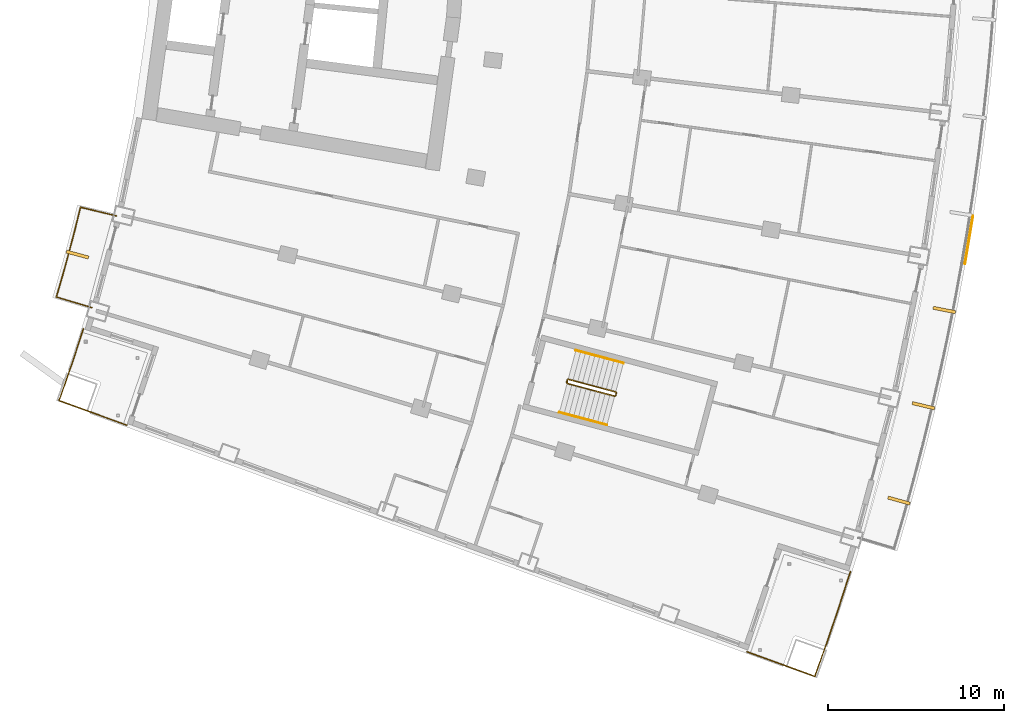
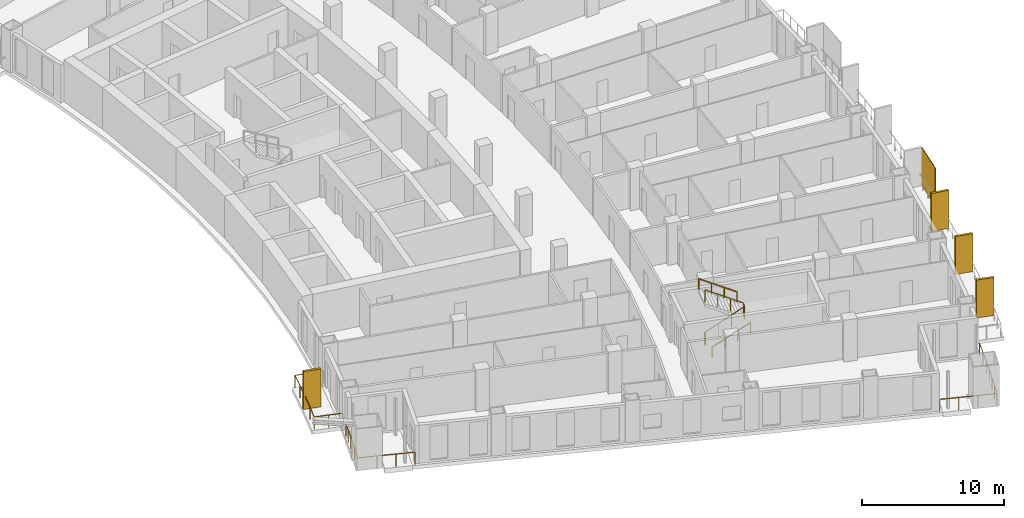
# One storey, part 22 of 24: 6 railings, 5 shading devices.
"""IFC4 building model written with IfcOpenShell, lengths in metres."""

from ifc_helpers import new_model, si_unit, direction, frame, origin, origin_2d, place, context, subcontext, project, spatial, rectangle, extrude, material, layer, layer_set, type_object, element, save


model = new_model("IFC4")

# Units and contexts
model_context = context("Model", 3, precision=1e-05, world=origin(), true_north=direction((0.0, 1.0)))
body_context = subcontext(model_context, "Body", "Model", "MODEL_VIEW")
ifc_project = project(units=[si_unit("LENGTHUNIT", "METRE"), si_unit("AREAUNIT", "SQUARE_METRE"), si_unit("VOLUMEUNIT", "CUBIC_METRE"), si_unit("PLANEANGLEUNIT", "RADIAN"), si_unit("MASSUNIT", "GRAM", prefix="KILO")], contexts=[model_context])

# Site, building, storey
site_placement = place(None, origin())
site = spatial("IfcSite", under=ifc_project, at=site_placement, CompositionType="ELEMENT")
building_placement = place(site_placement, origin())
building = spatial("IfcBuilding", under=site, at=building_placement, Name="Alderwake Tower", CompositionType="ELEMENT")
storey_placement = place(building_placement, frame((0.0, 0.0, 96.800048828125)))
storey = spatial("IfcBuildingStorey", under=building, at=storey_placement, Name="L23", CompositionType="ELEMENT", Elevation=96.800048828125)

# Railings
ifc_material_1 = material(Name="Stainless steel 316 rail and posts", Category="steel")
railing_type_1 = type_object("IfcRailingType", Name="Balcony guard 1100", PredefinedType="GUARDRAIL", material=ifc_material_1)
railing_1_placement = place(storey_placement, frame((12.16650390625, 33.435791015625, 0.0)))
element("IfcRailing", 1, at=railing_1_placement, inside=storey, type_object=railing_type_1, Name="Guard BR02", PredefinedType="GUARDRAIL", context=body_context, shape_type="SweptSolid", body=[
    extrude(rectangle(XDim=0.048095703125, YDim=0.048095703125, at=origin_2d()), frame((0.0, 0.0, 1.076171875), z_axis=(-0.958091458885, 0.286462486918, 0.0), x_axis=(-0.286462486918, -0.958091458885, 0.0)), (0.0, 0.0, 1.0), 2.099853515625),
    extrude(rectangle(XDim=0.048095703125, YDim=0.048095703125, at=origin_2d()), frame((-2.011962890625, 0.6015625, 1.076171875), z_axis=(0.279963157487, 0.960010744966, 0.0), x_axis=(-0.960010744966, 0.279963157487, 0.0)), (0.0, 0.0, 1.0), 1.272216796875),
    extrude(rectangle(XDim=0.048095703125, YDim=0.048095703125, at=origin_2d()), frame((-1.65576171875, 1.822998046875, 1.076171875), z_axis=(0.266487604617, 0.963838345671, 0.0), x_axis=(-0.963838345671, 0.266487604617, 0.0)), (0.0, 0.0, 1.0), 1.372314453125),
    extrude(rectangle(XDim=0.048095703125, YDim=0.048095703125, at=origin_2d()), frame((-1.2900390625, 3.145751953125, 1.076171875), z_axis=(0.252487086228, 0.967600264204, 0.0), x_axis=(-0.967600264204, 0.252487086228, 0.0)), (0.0, 0.0, 1.0), 1.3720703125),
    extrude(rectangle(XDim=0.048095703125, YDim=0.048095703125, at=origin_2d()), frame((-0.943603515625, 4.473388671875, 1.076171875), z_axis=(0.238877101641, 0.971049808358, 0.0), x_axis=(-0.971049808358, 0.238877101641, 0.0)), (0.0, 0.0, 1.0), 1.2724609375),
    extrude(rectangle(XDim=0.048095703125, YDim=0.048095703125, at=origin_2d()), frame((-0.6396484375, 5.708984375, 1.076171875), z_axis=(0.972646310656, -0.232291098337, 0.0), x_axis=(0.232291098337, 0.972646310656, 0.0)), (0.0, 0.0, 1.0), 2.099853515625),
    extrude(rectangle(XDim=0.0419921875, YDim=0.0419921875, at=origin_2d()), frame((0.0, 0.0, 0.0), z_axis=(0.0, 0.0, 1.0), x_axis=(-0.958091458885, 0.286462486918, 0.0)), (0.0, 0.0, 1.0), 1.052001953125),
    extrude(rectangle(XDim=0.0419921875, YDim=0.0419921875, at=origin_2d()), frame((-1.005859375, 0.30078125, 0.0), z_axis=(0.0, 0.0, 1.0), x_axis=(-0.958091458885, 0.286462486918, 0.0)), (0.0, 0.0, 1.0), 1.052001953125),
    extrude(rectangle(XDim=0.0419921875, YDim=0.0419921875, at=origin_2d()), frame((-2.011962890625, 0.6015625, 0.0), z_axis=(0.0, 0.0, 1.0), x_axis=(0.279963157487, 0.960010744966, 0.0)), (0.0, 0.0, 1.0), 1.052001953125),
    extrude(rectangle(XDim=0.0419921875, YDim=0.0419921875, at=origin_2d()), frame((-1.65576171875, 1.822998046875, 0.0), z_axis=(0.0, 0.0, 1.0), x_axis=(0.266487604617, 0.963838345671, 0.0)), (0.0, 0.0, 1.0), 1.052001953125),
    extrude(rectangle(XDim=0.0419921875, YDim=0.0419921875, at=origin_2d()), frame((-1.2900390625, 3.145751953125, 0.0), z_axis=(0.0, 0.0, 1.0), x_axis=(0.252487086228, 0.967600264204, 0.0)), (0.0, 0.0, 1.0), 1.052001953125),
    extrude(rectangle(XDim=0.0419921875, YDim=0.0419921875, at=origin_2d()), frame((-0.943603515625, 4.473388671875, 0.0), z_axis=(0.0, 0.0, 1.0), x_axis=(0.238877101641, 0.971049808358, 0.0)), (0.0, 0.0, 1.0), 1.052001953125),
    extrude(rectangle(XDim=0.0419921875, YDim=0.0419921875, at=origin_2d()), frame((-0.6396484375, 5.708984375, 0.0), z_axis=(0.0, 0.0, 1.0), x_axis=(0.972646310656, -0.232291098337, 0.0)), (0.0, 0.0, 1.0), 1.052001953125),
    extrude(rectangle(XDim=0.0419921875, YDim=0.0419921875, at=origin_2d()), frame((0.381591796875, 5.465087890625, 0.0), z_axis=(0.0, 0.0, 1.0), x_axis=(0.972646310656, -0.232291098337, 0.0)), (0.0, 0.0, 1.0), 1.052001953125),
    extrude(rectangle(XDim=0.0419921875, YDim=0.0419921875, at=origin_2d()), frame((1.40283203125, 5.22119140625, 0.0), z_axis=(0.0, 0.0, 1.0), x_axis=(0.972646310656, -0.232291098337, 0.0)), (0.0, 0.0, 1.0), 1.052001953125),
])
railing_2_placement = place(storey_placement, frame((55.357666015625, 18.409912109375, 0.0)))
element("IfcRailing", 2, at=railing_2_placement, inside=storey, type_object=railing_type_1, Name="Guard terrace FS", PredefinedType="GUARDRAIL", context=body_context, shape_type="SweptSolid", body=[
    extrude(rectangle(XDim=0.048095703125, YDim=0.048095703125, at=origin_2d()), frame((0.0, 0.0, 1.076171875), z_axis=(-0.307791641716, -0.951453785157, 0.0), x_axis=(0.951453785157, -0.307791641716, 0.0)), (0.0, 0.0, 1.0), 2.269287109375),
    extrude(rectangle(XDim=0.048095703125, YDim=0.048095703125, at=origin_2d()), frame((-0.698486328125, -2.1591796875, 1.076171875), z_axis=(-0.322203060236, -0.946670580495, 0.0), x_axis=(0.946670580495, -0.322203060236, 0.0)), (0.0, 0.0, 1.0), 2.0693359375),
    extrude(rectangle(XDim=0.048095703125, YDim=0.048095703125, at=origin_2d()), frame((-1.365234375, -4.1181640625, 1.076171875), z_axis=(-0.335723744503, -0.94196049141, 0.0), x_axis=(0.94196049141, -0.335723744503, 0.0)), (0.0, 0.0, 1.0), 1.96923828125),
    extrude(rectangle(XDim=0.048095703125, YDim=0.048095703125, at=origin_2d()), frame((-2.0263671875, -5.97314453125, 1.076171875), z_axis=(-0.939624669849, 0.342206779317, 0.0), x_axis=(-0.342206779317, -0.939624669849, 0.0)), (0.0, 0.0, 1.0), 4.10009765625),
    extrude(rectangle(XDim=0.0419921875, YDim=0.0419921875, at=origin_2d()), frame((0.0, 0.0, 0.0), z_axis=(0.0, 0.0, 1.0), x_axis=(-0.307791641716, -0.951453785157, 0.0)), (0.0, 0.0, 1.0), 1.052001953125),
    extrude(rectangle(XDim=0.0419921875, YDim=0.0419921875, at=origin_2d()), frame((-0.34912109375, -1.07958984375, 0.0), z_axis=(0.0, 0.0, 1.0), x_axis=(-0.307791641716, -0.951453785157, 0.0)), (0.0, 0.0, 1.0), 1.052001953125),
    extrude(rectangle(XDim=0.0419921875, YDim=0.0419921875, at=origin_2d()), frame((-0.698486328125, -2.1591796875, 0.0), z_axis=(0.0, 0.0, 1.0), x_axis=(-0.322203060236, -0.946670580495, 0.0)), (0.0, 0.0, 1.0), 1.052001953125),
    extrude(rectangle(XDim=0.0419921875, YDim=0.0419921875, at=origin_2d()), frame((-1.03173828125, -3.138671875, 0.0), z_axis=(0.0, 0.0, 1.0), x_axis=(-0.322203060236, -0.946670580495, 0.0)), (0.0, 0.0, 1.0), 1.052001953125),
    extrude(rectangle(XDim=0.0419921875, YDim=0.0419921875, at=origin_2d()), frame((-1.365234375, -4.1181640625, 0.0), z_axis=(0.0, 0.0, 1.0), x_axis=(-0.335723744503, -0.94196049141, 0.0)), (0.0, 0.0, 1.0), 1.052001953125),
    extrude(rectangle(XDim=0.0419921875, YDim=0.0419921875, at=origin_2d()), frame((-1.69580078125, -5.045654296875, 0.0), z_axis=(0.0, 0.0, 1.0), x_axis=(-0.335723744503, -0.94196049141, 0.0)), (0.0, 0.0, 1.0), 1.052001953125),
    extrude(rectangle(XDim=0.0419921875, YDim=0.0419921875, at=origin_2d()), frame((-2.0263671875, -5.97314453125, 0.0), z_axis=(0.0, 0.0, 1.0), x_axis=(-0.939624669849, 0.342206779317, 0.0)), (0.0, 0.0, 1.0), 1.052001953125),
    extrude(rectangle(XDim=0.0419921875, YDim=0.0419921875, at=origin_2d()), frame((-3.310546875, -5.50537109375, 0.0), z_axis=(0.0, 0.0, 1.0), x_axis=(-0.939624669849, 0.342206779317, 0.0)), (0.0, 0.0, 1.0), 1.052001953125),
    extrude(rectangle(XDim=0.0419921875, YDim=0.0419921875, at=origin_2d()), frame((-4.5947265625, -5.037841796875, 0.0), z_axis=(0.0, 0.0, 1.0), x_axis=(-0.939624669849, 0.342206779317, 0.0)), (0.0, 0.0, 1.0), 1.052001953125),
    extrude(rectangle(XDim=0.0419921875, YDim=0.0419921875, at=origin_2d()), frame((-5.87890625, -4.570068359375, 0.0), z_axis=(0.0, 0.0, 1.0), x_axis=(-0.939624669849, 0.342206779317, 0.0)), (0.0, 0.0, 1.0), 1.052001953125),
])
railing_3_placement = place(storey_placement, frame((11.688720703125, 32.218017578125, 0.0)))
element("IfcRailing", 3, at=railing_3_placement, inside=storey, type_object=railing_type_1, Name="Guard terrace RS", PredefinedType="GUARDRAIL", context=body_context, shape_type="SweptSolid", body=[
    extrude(rectangle(XDim=0.048095703125, YDim=0.048095703125, at=origin_2d()), frame((0.0, 0.0, 1.076171875), z_axis=(-0.307479326145, -0.951554761426, 0.0), x_axis=(0.951554761426, -0.307479326145, 0.0)), (0.0, 0.0, 1.0), 1.6015625),
    extrude(rectangle(XDim=0.048095703125, YDim=0.048095703125, at=origin_2d()), frame((-0.492431640625, -1.52392578125, 1.076171875), z_axis=(-0.322283727344, -0.946643121292, 0.0), x_axis=(0.946643121292, -0.322283727344, 0.0)), (0.0, 0.0, 1.0), 1.4013671875),
    extrude(rectangle(XDim=0.048095703125, YDim=0.048095703125, at=origin_2d()), frame((-0.944091796875, -2.8505859375, 1.076171875), z_axis=(-0.335468607403, -0.942051385778, 0.0), x_axis=(0.942051385778, -0.335468607403, 0.0)), (0.0, 0.0, 1.0), 1.30126953125),
    extrude(rectangle(XDim=0.048095703125, YDim=0.048095703125, at=origin_2d()), frame((-1.380615234375, -4.076416015625, 1.076171875), z_axis=(0.939708203232, -0.341977327873, 0.0), x_axis=(0.341977327873, 0.939708203232, 0.0)), (0.0, 0.0, 1.0), 4.10009765625),
    extrude(rectangle(XDim=0.0419921875, YDim=0.0419921875, at=origin_2d()), frame((0.0, 0.0, 0.0), z_axis=(0.0, 0.0, 1.0), x_axis=(-0.307479326145, -0.951554761426, 0.0)), (0.0, 0.0, 1.0), 1.052001953125),
    extrude(rectangle(XDim=0.0419921875, YDim=0.0419921875, at=origin_2d()), frame((-0.24609375, -0.761962890625, 0.0), z_axis=(0.0, 0.0, 1.0), x_axis=(-0.307479326145, -0.951554761426, 0.0)), (0.0, 0.0, 1.0), 1.052001953125),
    extrude(rectangle(XDim=0.0419921875, YDim=0.0419921875, at=origin_2d()), frame((-0.492431640625, -1.52392578125, 0.0), z_axis=(0.0, 0.0, 1.0), x_axis=(-0.322283727344, -0.946643121292, 0.0)), (0.0, 0.0, 1.0), 1.052001953125),
    extrude(rectangle(XDim=0.0419921875, YDim=0.0419921875, at=origin_2d()), frame((-0.71826171875, -2.187255859375, 0.0), z_axis=(0.0, 0.0, 1.0), x_axis=(-0.322283727344, -0.946643121292, 0.0)), (0.0, 0.0, 1.0), 1.052001953125),
    extrude(rectangle(XDim=0.0419921875, YDim=0.0419921875, at=origin_2d()), frame((-0.944091796875, -2.8505859375, 0.0), z_axis=(0.0, 0.0, 1.0), x_axis=(-0.335468607403, -0.942051385778, 0.0)), (0.0, 0.0, 1.0), 1.052001953125),
    extrude(rectangle(XDim=0.0419921875, YDim=0.0419921875, at=origin_2d()), frame((-1.380615234375, -4.076416015625, 0.0), z_axis=(0.0, 0.0, 1.0), x_axis=(0.939708203232, -0.341977327873, 0.0)), (0.0, 0.0, 1.0), 1.052001953125),
    extrude(rectangle(XDim=0.0419921875, YDim=0.0419921875, at=origin_2d()), frame((-0.096435546875, -4.543701171875, 0.0), z_axis=(0.0, 0.0, 1.0), x_axis=(0.939708203232, -0.341977327873, 0.0)), (0.0, 0.0, 1.0), 1.052001953125),
    extrude(rectangle(XDim=0.0419921875, YDim=0.0419921875, at=origin_2d()), frame((1.18798828125, -5.01123046875, 0.0), z_axis=(0.0, 0.0, 1.0), x_axis=(0.939708203232, -0.341977327873, 0.0)), (0.0, 0.0, 1.0), 1.052001953125),
    extrude(rectangle(XDim=0.0419921875, YDim=0.0419921875, at=origin_2d()), frame((2.47216796875, -5.478515625, 0.0), z_axis=(0.0, 0.0, 1.0), x_axis=(0.939708203232, -0.341977327873, 0.0)), (0.0, 0.0, 1.0), 1.052001953125),
])

# Shading devices
ifc_material_2 = material(Name="Bronze anodised aluminium", Category="aluminium")
ifc_layer_1 = layer(ifc_material_2, 0.179931640625)
ifc_layer_set_1 = layer_set([ifc_layer_1], Name="Facade fin 1300")
shading_device_type_1 = type_object("IfcShadingDeviceType", Name="Facade fin 1300", PredefinedType="USERDEFINED", material=ifc_layer_set_1)
for number, where, z_axis, x_axis, name in (
    (4, (58.120361328125, 22.44677734375, 0.0), (0.0, 0.0, 1.0), (0.96318180783, -0.268850897459, 0.0), "Fin"),
    (5, (59.51513671875, 27.847412109375, 0.0), (0.0, 0.0, 1.0), (0.972908790564, -0.231189284448, 0.0), "Fin"),
    (6, (60.698974609375, 33.29833984375, 0.0), (0.0, 0.0, 1.0), (0.981163751315, -0.193177879441, 0.0), "Fin"),
    (7, (11.359375, 36.45166015625, 0.0), (0.0, 0.0, 1.0), (0.965744448231, -0.259495010957, 0.0), "Fin"),
):
    element("IfcShadingDevice", number, at=place(storey_placement, frame(where, z_axis=z_axis, x_axis=x_axis)), inside=storey, type_object=shading_device_type_1, Name=name, ObjectType="FIN", PredefinedType="USERDEFINED", context=body_context, shape_type="SweptSolid", body=[
        extrude(rectangle(XDim=1.300048828125, YDim=0.179931640625, at=origin_2d()), origin(), (0.0, 0.0, 1.0), 3.280029296875),
    ])
ifc_material_3 = material(Name="Perforated bronze anodised aluminium", Category="aluminium")
ifc_layer_2 = layer(ifc_material_3, 0.050048828125)
ifc_layer_set_2 = layer_set([ifc_layer_2], Name="Perforated screen panel")
shading_device_type_2 = type_object("IfcShadingDeviceType", Name="Perforated screen panel", PredefinedType="USERDEFINED", material=ifc_layer_set_2)
shading_device_placement = place(storey_placement, frame((62.1044921875, 37.293701171875, 0.0), z_axis=(0.0, 0.0, 1.0), x_axis=(0.986369013299, -0.164548380739, 0.0)))
element("IfcShadingDevice", 8, at=shading_device_placement, inside=storey, type_object=shading_device_type_2, Name="Screen panel", ObjectType="SCREEN", PredefinedType="USERDEFINED", context=body_context, shape_type="SweptSolid", body=[
    extrude(rectangle(XDim=0.050048828125, YDim=2.794921875, at=origin_2d()), origin(), (0.0, 0.0, 1.0), 3.280029296875),
])

# Railings
ifc_material_4 = material(Name="Stainless steel guard", Category="steel")
railing_type_2 = type_object("IfcRailingType", Name="Stair guard 1100", PredefinedType="GUARDRAIL", material=ifc_material_4)
railing_4_placement = place(storey_placement, frame((39.1943359375, 29.17431640625, 0.0)))
element("IfcRailing", 9, at=railing_4_placement, inside=storey, type_object=railing_type_2, Name="L23 ST-C stair guard 1", PredefinedType="GUARDRAIL", context=body_context, shape_type="SweptSolid", body=[
    extrude(rectangle(XDim=0.048095703125, YDim=0.048095703125, at=origin_2d()), frame((0.0, 0.0, 1.076171875), z_axis=(0.257459803502, 0.966289009345, 0.0), x_axis=(-0.966289009345, 0.257459803502, 0.0)), (0.0, 0.0, 1.0), 0.14990234375),
    extrude(rectangle(XDim=0.048095703125, YDim=0.048095703125, at=origin_2d()), frame((0.03857421875, 0.144775390625, 1.076171875), z_axis=(-0.012062893862, -0.783160186125, 0.621702991355), x_axis=(0.999881397308, -0.015401016783, 0.0)), (0.0, 0.0, 1.0), 0.26318359375),
    extrude(rectangle(XDim=0.048095703125, YDim=0.048095703125, at=origin_2d()), frame((0.035400390625, -0.061279296875, 1.23974609375), z_axis=(0.834281824786, -0.222214197128, 0.504573768072), x_axis=(0.257380452725, 0.966310148221, 0.0)), (0.0, 0.0, 1.0), 3.2431640625),
    extrude(rectangle(XDim=0.048095703125, YDim=0.048095703125, at=origin_2d()), frame((2.7412109375, -0.781982421875, 2.8759765625), z_axis=(0.865031189262, 0.501718089772, 0.0), x_axis=(-0.501718089772, 0.865031189262, 0.0)), (0.0, 0.0, 1.0), 0.070556640625),
    extrude(rectangle(XDim=0.048095703125, YDim=0.048095703125, at=origin_2d()), frame((2.80224609375, -0.74658203125, 2.8759765625), z_axis=(0.257055032184, 0.966396766566, 0.0), x_axis=(-0.966396766566, 0.257055032184, 0.0)), (0.0, 0.0, 1.0), 0.150146484375),
    extrude(rectangle(XDim=0.048095703125, YDim=0.048095703125, at=origin_2d()), frame((2.8408203125, -0.6015625, 2.8759765625), z_axis=(-0.198625291617, 0.343827228937, 0.91778583023), x_axis=(-0.865898279276, -0.500220121494, 0.0)), (0.0, 0.0, 1.0), 0.17822265625),
    extrude(rectangle(XDim=0.048095703125, YDim=0.048095703125, at=origin_2d()), frame((2.805419921875, -0.540283203125, 3.03955078125), z_axis=(-0.834290631165, 0.222236594766, 0.504549342183), x_axis=(-0.257402139082, -0.966304371715, 0.0)), (0.0, 0.0, 1.0), 3.242919921875),
    extrude(rectangle(XDim=0.0419921875, YDim=0.0419921875, at=origin_2d()), frame((0.0, 0.0, 0.0), z_axis=(0.0, 0.0, 1.0), x_axis=(0.257459803502, 0.966289009345, 0.0)), (0.0, 0.0, 1.0), 1.052001953125),
    extrude(rectangle(XDim=0.0419921875, YDim=0.0419921875, at=origin_2d()), frame((0.03857421875, 0.144775390625, 0.0), z_axis=(0.0, 0.0, 1.0), x_axis=(-0.015401016783, -0.999881397308, 0.0)), (0.0, 0.0, 1.0), 1.052001953125),
    extrude(rectangle(XDim=0.0419921875, YDim=0.0419921875, at=origin_2d()), frame((0.035400390625, -0.061279296875, 0.16357421875), z_axis=(0.0, 0.0, 1.0), x_axis=(0.966310148221, -0.257380452725, 0.0)), (0.0, 0.0, 1.0), 1.052001953125),
    extrude(rectangle(XDim=0.0419921875, YDim=0.0419921875, at=origin_2d()), frame((0.937255859375, -0.301513671875, 0.708984375), z_axis=(0.0, 0.0, 1.0), x_axis=(0.966310148221, -0.257380452725, 0.0)), (0.0, 0.0, 1.0), 1.052001953125),
    extrude(rectangle(XDim=0.0419921875, YDim=0.0419921875, at=origin_2d()), frame((1.83935546875, -0.541748046875, 1.254638671875), z_axis=(0.0, 0.0, 1.0), x_axis=(0.966310148221, -0.257380452725, 0.0)), (0.0, 0.0, 1.0), 1.052001953125),
    extrude(rectangle(XDim=0.0419921875, YDim=0.0419921875, at=origin_2d()), frame((2.7412109375, -0.781982421875, 1.800048828125), z_axis=(0.0, 0.0, 1.0), x_axis=(0.865031189262, 0.501718089772, 0.0)), (0.0, 0.0, 1.0), 1.052001953125),
    extrude(rectangle(XDim=0.0419921875, YDim=0.0419921875, at=origin_2d()), frame((2.80224609375, -0.74658203125, 1.800048828125), z_axis=(0.0, 0.0, 1.0), x_axis=(0.257055032184, 0.966396766566, 0.0)), (0.0, 0.0, 1.0), 1.052001953125),
    extrude(rectangle(XDim=0.0419921875, YDim=0.0419921875, at=origin_2d()), frame((2.8408203125, -0.6015625, 1.800048828125), z_axis=(0.0, 0.0, 1.0), x_axis=(-0.500220121494, 0.865898279276, 0.0)), (0.0, 0.0, 1.0), 1.052001953125),
    extrude(rectangle(XDim=0.0419921875, YDim=0.0419921875, at=origin_2d()), frame((2.805419921875, -0.540283203125, 1.963623046875), z_axis=(0.0, 0.0, 1.0), x_axis=(-0.966304371715, 0.257402139082, 0.0)), (0.0, 0.0, 1.0), 1.052001953125),
    extrude(rectangle(XDim=0.0419921875, YDim=0.0419921875, at=origin_2d()), frame((1.903564453125, -0.300048828125, 2.509033203125), z_axis=(0.0, 0.0, 1.0), x_axis=(-0.966304371715, 0.257402139082, 0.0)), (0.0, 0.0, 1.0), 1.052001953125),
    extrude(rectangle(XDim=0.0419921875, YDim=0.0419921875, at=origin_2d()), frame((1.001708984375, -0.059814453125, 3.054443359375), z_axis=(0.0, 0.0, 1.0), x_axis=(-0.966304371715, 0.257402139082, 0.0)), (0.0, 0.0, 1.0), 1.052001953125),
    extrude(rectangle(XDim=0.0419921875, YDim=0.0419921875, at=origin_2d()), frame((0.099853515625, 0.180419921875, 3.599853515625), z_axis=(0.0, 0.0, 1.0), x_axis=(-0.966304371715, 0.257402139082, 0.0)), (0.0, 0.0, 1.0), 1.052001953125),
])
ifc_material_5 = material(Name="Stainless steel handrail", Category="steel")
railing_type_3 = type_object("IfcRailingType", Name="Stair handrail 900", PredefinedType="HANDRAIL", material=ifc_material_5)
railing_5_placement = place(storey_placement, frame((38.792236328125, 27.47021484375, 0.16357421875)))
element("IfcRailing", 10, at=railing_5_placement, inside=storey, type_object=railing_type_3, Name="L23 ST-C stair handrail 1", PredefinedType="HANDRAIL", context=body_context, shape_type="SweptSolid", body=[
    extrude(rectangle(XDim=0.048095703125, YDim=0.048095703125, at=origin_2d()), frame((0.0, 0.0, 0.8759765625), z_axis=(0.834272895437, -0.222156588561, 0.504613898043), x_axis=(0.25732071773, 0.966326056891, 0.0)), (0.0, 0.0, 1.0), 3.242919921875),
    extrude(rectangle(XDim=0.0419921875, YDim=0.0419921875, at=origin_2d()), frame((0.0, 0.0, 0.0), z_axis=(0.0, 0.0, 1.0), x_axis=(0.966326056891, -0.25732071773, 0.0)), (0.0, 0.0, 1.0), 0.851806640625),
    extrude(rectangle(XDim=0.0419921875, YDim=0.0419921875, at=origin_2d()), frame((0.90185546875, -0.240234375, 0.54541015625), z_axis=(0.0, 0.0, 1.0), x_axis=(0.966326056891, -0.25732071773, 0.0)), (0.0, 0.0, 1.0), 0.851806640625),
    extrude(rectangle(XDim=0.0419921875, YDim=0.0419921875, at=origin_2d()), frame((1.8037109375, -0.480224609375, 1.091064453125), z_axis=(0.0, 0.0, 1.0), x_axis=(0.966326056891, -0.25732071773, 0.0)), (0.0, 0.0, 1.0), 0.851806640625),
    extrude(rectangle(XDim=0.0419921875, YDim=0.0419921875, at=origin_2d()), frame((2.70556640625, -0.720458984375, 1.636474609375), z_axis=(0.0, 0.0, 1.0), x_axis=(0.966326056891, -0.25732071773, 0.0)), (0.0, 0.0, 1.0), 0.851806640625),
])
railing_6_placement = place(storey_placement, frame((42.437255859375, 30.276611328125, 1.963623046875)))
element("IfcRailing", 11, at=railing_6_placement, inside=storey, type_object=railing_type_3, Name="L23 ST-C stair handrail 2", PredefinedType="HANDRAIL", context=body_context, shape_type="SweptSolid", body=[
    extrude(rectangle(XDim=0.048095703125, YDim=0.048095703125, at=origin_2d()), frame((0.0, 0.0, 0.8759765625), z_axis=(-0.834290631165, 0.222236594766, 0.504549342183), x_axis=(-0.257402139082, -0.966304371715, 0.0)), (0.0, 0.0, 1.0), 3.242919921875),
    extrude(rectangle(XDim=0.0419921875, YDim=0.0419921875, at=origin_2d()), frame((0.0, 0.0, 0.0), z_axis=(0.0, 0.0, 1.0), x_axis=(-0.966304371715, 0.257402139082, 0.0)), (0.0, 0.0, 1.0), 0.851806640625),
    extrude(rectangle(XDim=0.0419921875, YDim=0.0419921875, at=origin_2d()), frame((-0.90185546875, 0.240234375, 0.54541015625), z_axis=(0.0, 0.0, 1.0), x_axis=(-0.966304371715, 0.257402139082, 0.0)), (0.0, 0.0, 1.0), 0.851806640625),
    extrude(rectangle(XDim=0.0419921875, YDim=0.0419921875, at=origin_2d()), frame((-1.8037109375, 0.48046875, 1.0908203125), z_axis=(0.0, 0.0, 1.0), x_axis=(-0.966304371715, 0.257402139082, 0.0)), (0.0, 0.0, 1.0), 0.851806640625),
    extrude(rectangle(XDim=0.0419921875, YDim=0.0419921875, at=origin_2d()), frame((-2.70556640625, 0.720703125, 1.63623046875), z_axis=(0.0, 0.0, 1.0), x_axis=(-0.966304371715, 0.257402139082, 0.0)), (0.0, 0.0, 1.0), 0.851806640625),
])

save(model, "model.ifc")
